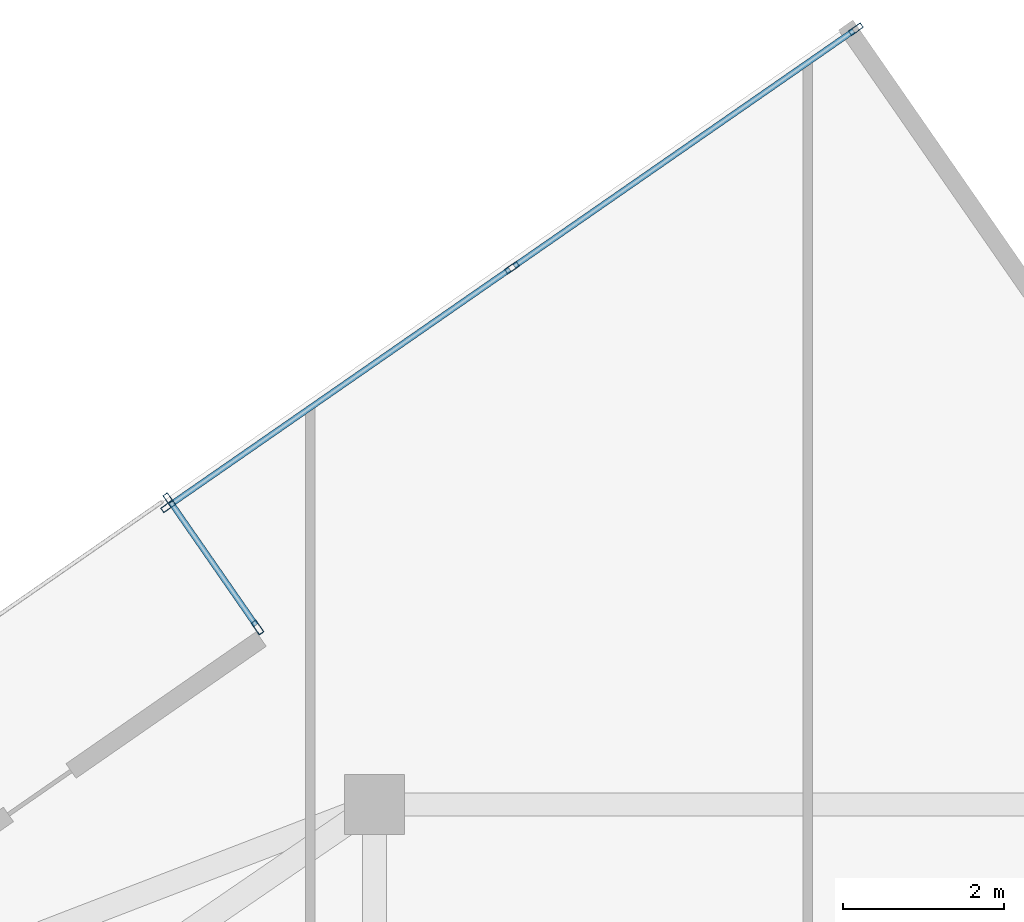
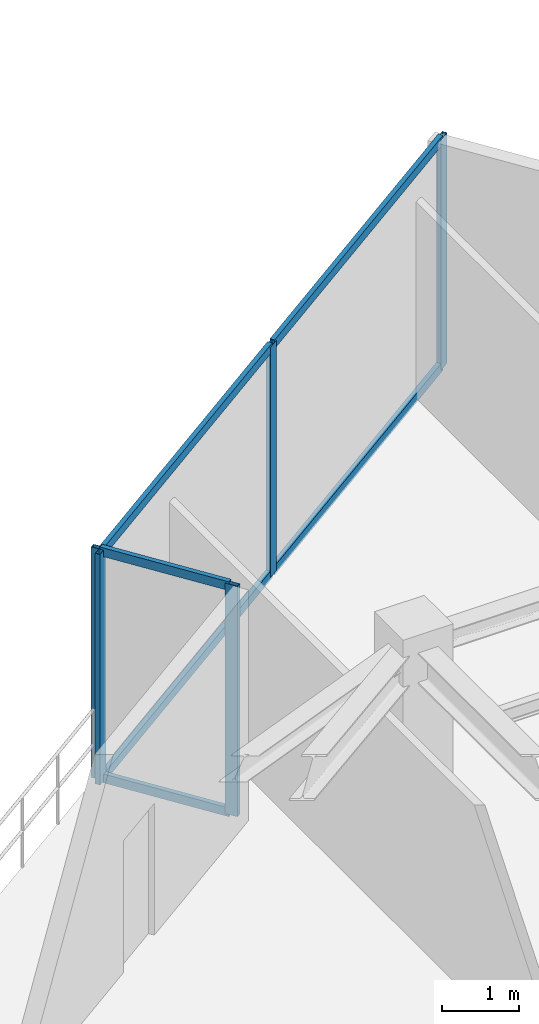
# One storey, part 14 of 21: 11 members, 2 elements without a shape of their own.
"""IFC4 building model written with IfcOpenShell, lengths in metres."""

from ifc_helpers import new_model, si_unit, direction, frame, origin, origin_2d, place, context, subcontext, project, spatial, hollow_rectangle, extrude, source, transform, mapped, material, material_profile, profile_set, type_object, type_shapes, element, aggregate, save


model = new_model("IFC4")

# Units and contexts
model_context = context("Model", 3, precision=1e-05, world=origin(), true_north=direction((0.0, 1.0)))
body_context = subcontext(model_context, "Body", "Model", "MODEL_VIEW")
ifc_project = project(units=[si_unit("LENGTHUNIT", "METRE"), si_unit("AREAUNIT", "SQUARE_METRE"), si_unit("VOLUMEUNIT", "CUBIC_METRE"), si_unit("PLANEANGLEUNIT", "RADIAN"), si_unit("MASSUNIT", "GRAM", prefix="KILO")], contexts=[model_context])

# Site, building, storey
site_placement = place(None, origin())
site = spatial("IfcSite", under=ifc_project, at=site_placement, CompositionType="ELEMENT")
building_placement = place(site_placement, origin())
building = spatial("IfcBuilding", under=site, at=building_placement, Name="Krantzveldt Concourse Tower", CompositionType="ELEMENT")
storey_placement = place(building_placement, frame((0.0, 0.0, 279.25)))
storey = spatial("IfcBuildingStorey", under=building, at=storey_placement, Name="L68", CompositionType="ELEMENT", Elevation=279.25)

# Curtain wall, members
ifc_material = material(Name="Anodised aluminium 6063-T6", Category="aluminium")
curtain_wall_type_1 = type_object("IfcCurtainWallType", Name="CW4", PredefinedType="USERDEFINED", material=ifc_material)
curtain_wall_1_placement = place(storey_placement, origin())
curtain_wall_1 = element("IfcCurtainWall", 1, at=curtain_wall_1_placement, inside=storey, type_object=curtain_wall_type_1, Name="CW-L68-F01", ObjectType="UNITISED CURTAIN WALL", PredefinedType="USERDEFINED")
ifc_material_profile_1 = material_profile(ifc_material, hollow_rectangle(XDim=0.070068359375, YDim=0.179931640625, WallThickness=0.0048828125, at=origin_2d()), Name="Anodised aluminium 6063-T6", Category="aluminium")
ifc_profile_set_1 = profile_set([ifc_material_profile_1], Name="Anodised aluminium 6063-T6 - ALU-MULL 180x70x5")
member_type_1 = type_object("IfcMemberType", Name="CW-MUL-180", PredefinedType="MULLION", material=ifc_profile_set_1)
shared_shape_1 = source(origin(), body_context, "Body", "SweptSolid", [
    extrude(hollow_rectangle(XDim=0.070068359375, YDim=0.179931640625, WallThickness=0.0048828125, at=origin_2d()), origin(), (0.0, 0.0, 1.0), 3.669921875),
])
type_shapes(member_type_1, [shared_shape_1])
member_1_placement = place(storey_placement, frame((36.60009765625, 50.861328125, 0.0), z_axis=(0.0, 0.0, 1.0), x_axis=(0.569996503407, -0.821647117748, 0.0)))
member_1 = element("IfcMember", 2, at=member_1_placement, type_object=member_type_1, Name="CW-Z56 mullion 1", PredefinedType="MULLION", context=body_context, shape_type="MappedRepresentation", body=[
    mapped(shared_shape_1, transform((0.0, 0.0, 0.0), x_axis=(1.0, 0.0, 0.0), y_axis=(0.0, 1.0, 0.0), z_axis=(0.0, 0.0, 1.0), scale=1.0)),
])
member_2_placement = place(storey_placement, frame((32.315185546875, 47.888916015625, 0.0), z_axis=(0.0, 0.0, 1.0), x_axis=(0.569996503407, -0.821647117748, 0.0)))
member_2 = element("IfcMember", 3, at=member_2_placement, type_object=member_type_1, Name="CW-Z56 mullion 2", PredefinedType="MULLION", context=body_context, shape_type="MappedRepresentation", body=[
    mapped(shared_shape_1, transform((0.0, 0.0, 0.0), x_axis=(1.0, 0.0, 0.0), y_axis=(0.0, 1.0, 0.0), z_axis=(0.0, 0.0, 1.0), scale=1.0)),
])
member_3_placement = place(storey_placement, frame((28.0302734375, 44.916259765625, 0.0), z_axis=(0.0, 0.0, 1.0), x_axis=(0.569996503407, -0.821647117748, 0.0)))
member_3 = element("IfcMember", 4, at=member_3_placement, type_object=member_type_1, Name="CW-Z56 mullion 3", PredefinedType="MULLION", context=body_context, shape_type="MappedRepresentation", body=[
    mapped(shared_shape_1, transform((0.0, 0.0, 0.0), x_axis=(1.0, 0.0, 0.0), y_axis=(0.0, 1.0, 0.0), z_axis=(0.0, 0.0, 1.0), scale=1.0)),
])

curtain_wall_type_2 = type_object("IfcCurtainWallType", Name="CW6", PredefinedType="USERDEFINED", material=ifc_material)
curtain_wall_2_placement = place(storey_placement, origin())
curtain_wall_2 = element("IfcCurtainWall", 5, at=curtain_wall_2_placement, inside=storey, type_object=curtain_wall_type_2, Name="CW-L68-TR02", ObjectType="UNITISED CURTAIN WALL", PredefinedType="USERDEFINED")
member_4_placement = place(storey_placement, frame((28.044189453125, 44.992919921875, 0.0), z_axis=(0.0, 0.0, 1.0), x_axis=(0.8216464166, 0.569997514107, 0.0)))
member_4 = element("IfcMember", 6, at=member_4_placement, type_object=member_type_1, Name="CW-TERR mullion 1", PredefinedType="MULLION", context=body_context, shape_type="MappedRepresentation", body=[
    mapped(shared_shape_1, transform((0.0, 0.0, 0.0), x_axis=(1.0, 0.0, 0.0), y_axis=(0.0, 1.0, 0.0), z_axis=(0.0, 0.0, 1.0), scale=1.0)),
])
member_5_placement = place(storey_placement, frame((29.144287109375, 43.406982421875, 0.0), z_axis=(0.0, 0.0, 1.0), x_axis=(0.8216464166, 0.569997514107, 0.0)))
member_5 = element("IfcMember", 7, at=member_5_placement, type_object=member_type_1, Name="CW-TERR mullion 2", PredefinedType="MULLION", context=body_context, shape_type="MappedRepresentation", body=[
    mapped(shared_shape_1, transform((0.0, 0.0, 0.0), x_axis=(1.0, 0.0, 0.0), y_axis=(0.0, 1.0, 0.0), z_axis=(0.0, 0.0, 1.0), scale=1.0)),
])
ifc_material_profile_2 = material_profile(ifc_material, hollow_rectangle(XDim=0.070068359375, YDim=0.139892578125, WallThickness=0.0048828125, at=origin_2d()), Name="Anodised aluminium 6063-T6", Category="aluminium")
ifc_profile_set_2 = profile_set([ifc_material_profile_2], Name="Anodised aluminium 6063-T6 - ALU-TRAN 140x70x5")
member_type_2 = type_object("IfcMemberType", Name="CW-TRN-150", PredefinedType="USERDEFINED", material=ifc_profile_set_2)
shared_shape_2 = source(origin(), body_context, "Body", "SweptSolid", [
    extrude(hollow_rectangle(XDim=0.070068359375, YDim=0.139892578125, WallThickness=0.0048828125, at=origin_2d()), origin(), (0.0, 0.0, 1.0), 1.85986328125),
])
member_6_placement = place(storey_placement, frame((28.064208984375, 44.964111328125, 0.034912109375), z_axis=(0.569933266544, -0.821690983087, 0.0), x_axis=(0.821690983087, 0.569933266544, 0.0)))
member_6 = element("IfcMember", 8, at=member_6_placement, type_object=member_type_2, Name="CW-TERR transom 1.1", ObjectType="TRANSOM", PredefinedType="USERDEFINED", context=body_context, shape_type="MappedRepresentation", body=[
    mapped(shared_shape_2, transform((0.0, 0.0, 0.0), x_axis=(1.0, 0.0, 0.0), y_axis=(0.0, 1.0, 0.0), z_axis=(0.0, 0.0, 1.0), scale=1.0)),
])
member_7_placement = place(storey_placement, frame((28.064208984375, 44.964111328125, 3.635009765625), z_axis=(0.569933266544, -0.821690983087, 0.0), x_axis=(0.821690983087, 0.569933266544, 0.0)))
member_7 = element("IfcMember", 9, at=member_7_placement, type_object=member_type_2, Name="CW-TERR transom 1.2", ObjectType="TRANSOM", PredefinedType="USERDEFINED", context=body_context, shape_type="MappedRepresentation", body=[
    mapped(shared_shape_2, transform((0.0, 0.0, 0.0), x_axis=(1.0, 0.0, 0.0), y_axis=(0.0, 1.0, 0.0), z_axis=(0.0, 0.0, 1.0), scale=1.0)),
])
aggregate(curtain_wall_2, [member_4, member_5, member_6, member_7])

# Member
shared_shape_3 = source(origin(), body_context, "Body", "SweptSolid", [
    extrude(hollow_rectangle(XDim=0.070068359375, YDim=0.139892578125, WallThickness=0.0048828125, at=origin_2d()), origin(), (0.0, 0.0, 1.0), 5.14501953125),
])
type_shapes(member_type_2, [shared_shape_2, shared_shape_3])
member_8_placement = place(storey_placement, frame((36.5712890625, 50.84130859375, 0.034912109375), z_axis=(-0.821643446743, -0.570001795107, 0.0), x_axis=(0.570001795107, -0.821643446743, 0.0)))
member_8 = element("IfcMember", 10, at=member_8_placement, type_object=member_type_2, Name="CW-Z56 transom 1.1", ObjectType="TRANSOM", PredefinedType="USERDEFINED", context=body_context, shape_type="MappedRepresentation", body=[
    mapped(shared_shape_3, transform((0.0, 0.0, 0.0), x_axis=(1.0, 0.0, 0.0), y_axis=(0.0, 1.0, 0.0), z_axis=(0.0, 0.0, 1.0), scale=1.0)),
])

member_9_placement = place(storey_placement, frame((36.5712890625, 50.84130859375, 3.635009765625), z_axis=(-0.821643446743, -0.570001795107, 0.0), x_axis=(0.570001795107, -0.821643446743, 0.0)))
member_9 = element("IfcMember", 11, at=member_9_placement, type_object=member_type_2, Name="CW-Z56 transom 1.2", ObjectType="TRANSOM", PredefinedType="USERDEFINED", context=body_context, shape_type="MappedRepresentation", body=[
    mapped(shared_shape_3, transform((0.0, 0.0, 0.0), x_axis=(1.0, 0.0, 0.0), y_axis=(0.0, 1.0, 0.0), z_axis=(0.0, 0.0, 1.0), scale=1.0)),
])

member_10_placement = place(storey_placement, frame((32.28662109375, 47.868896484375, 0.034912109375), z_axis=(-0.821658863319, -0.569979571852, 0.0), x_axis=(0.569979571852, -0.821658863319, 0.0)))
member_10 = element("IfcMember", 12, at=member_10_placement, type_object=member_type_2, Name="CW-Z56 transom 2.1", ObjectType="TRANSOM", PredefinedType="USERDEFINED", context=body_context, shape_type="MappedRepresentation", body=[
    mapped(shared_shape_3, transform((0.0, 0.0, 0.0), x_axis=(1.0, 0.0, 0.0), y_axis=(0.0, 1.0, 0.0), z_axis=(0.0, 0.0, 1.0), scale=1.0)),
])

member_11_placement = place(storey_placement, frame((32.28662109375, 47.868896484375, 3.635009765625), z_axis=(-0.821658863319, -0.569979571852, 0.0), x_axis=(0.569979571852, -0.821658863319, 0.0)))
member_11 = element("IfcMember", 13, at=member_11_placement, type_object=member_type_2, Name="CW-Z56 transom 2.2", ObjectType="TRANSOM", PredefinedType="USERDEFINED", context=body_context, shape_type="MappedRepresentation", body=[
    mapped(shared_shape_3, transform((0.0, 0.0, 0.0), x_axis=(1.0, 0.0, 0.0), y_axis=(0.0, 1.0, 0.0), z_axis=(0.0, 0.0, 1.0), scale=1.0)),
])

aggregate(curtain_wall_1, [member_1, member_2, member_3, member_8, member_9, member_10, member_11])

save(model, "model.ifc")
